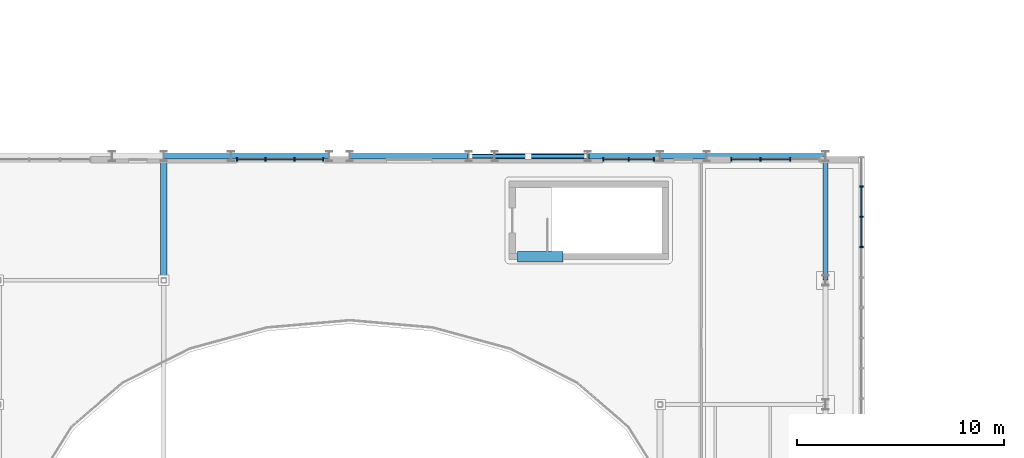
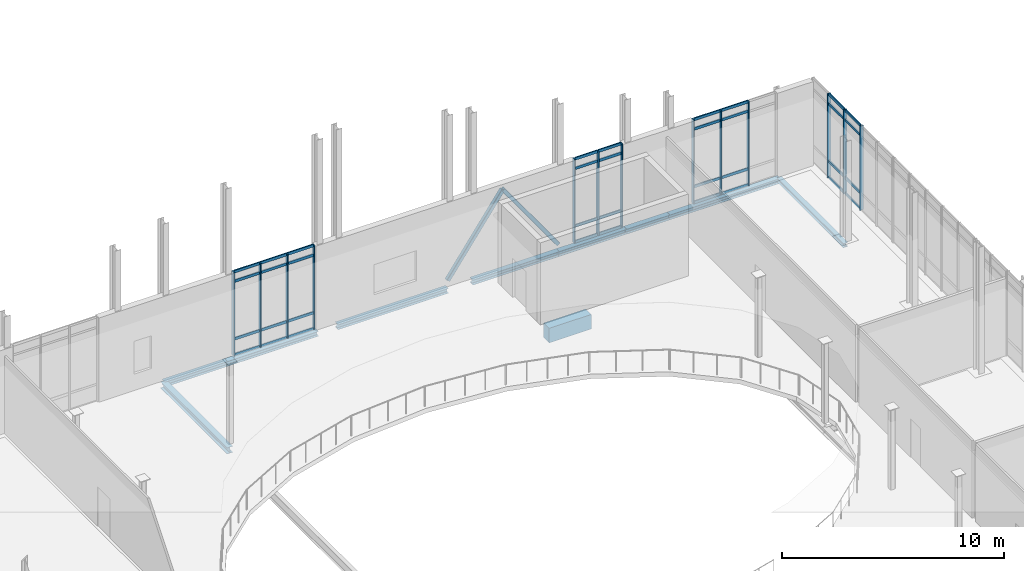
# One storey, part 29 of 86: 51 members, 10 beams, 4 elements without a shape of their own.
"""IFC4 building model written with IfcOpenShell, lengths in metres."""

import ifcopenshell
import ifcopenshell.guid

model = None  # the IFC model being written
_history = None  # IfcOwnerHistory: only IFC2X3 demands one
_inside = {}  # id of a spatial element -> (the spatial element, [elements in it])
_under = {}  # id of a project, library or spatial element -> (it, [spatial elements below it])
_declared = {}  # id of a project -> (the project, [libraries it declares])
_typed = {}  # id of a type object -> (the type object, [elements of that type])
_made_of = {}  # id of a material, layer set ... -> (it, [elements and type objects made of it])


def new_model(schema):
    """Start an empty IFC model of exactly this schema.

    Asked for "IFC4X3", IfcOpenShell would pick the latest addendum, in which some entities
    have other attributes; the version numbers below select the first issue.
    IFC2X3 requires an IfcOwnerHistory on every rooted entity: one is made here for all.
    """
    global model, _history
    if schema == "IFC4X3":
        model = ifcopenshell.file(schema_version=(4, 3, 0, 0))
    else:
        model = ifcopenshell.file(schema=schema)
    _inside.clear()
    _under.clear()
    _declared.clear()
    _typed.clear()
    _made_of.clear()
    _history = None
    if model.schema == "IFC2X3":
        org = make("IfcOrganization", Name="unknown")
        user = make(
            "IfcPersonAndOrganization",
            ThePerson=make("IfcPerson", FamilyName="unknown"),
            TheOrganization=org,
        )
        app = make(
            "IfcApplication",
            ApplicationDeveloper=org,
            Version="unknown",
            ApplicationFullName="unknown",
            ApplicationIdentifier="unknown",
        )
        _history = make(
            "IfcOwnerHistory",
            OwningUser=user,
            OwningApplication=app,
            ChangeAction="ADDED",
            CreationDate=0,
        )
    return model


def make(cls, **values):
    """One entity of the class cls with the attributes given. An attribute that is None is left unset."""
    return model.create_entity(
        cls, **{name: value for name, value in values.items() if value is not None}
    )


def rooted(cls, **values):
    """An entity with a GlobalId (a new one), such as an element, a storey or a relation."""
    return make(cls, GlobalId=ifcopenshell.guid.new(), OwnerHistory=_history, **values)


def si_unit(unit_type, name, prefix=None):
    """IfcSIUnit, for example si_unit("LENGTHUNIT", "METRE", prefix="MILLI")."""
    return make("IfcSIUnit", UnitType=unit_type, Prefix=prefix, Name=name)


def assignment(units):
    """IfcUnitAssignment: the units of a project."""
    return None if units is None else make("IfcUnitAssignment", Units=units)


def point(xyz):
    """IfcCartesianPoint."""
    return None if xyz is None else make("IfcCartesianPoint", Coordinates=xyz)


def direction(xyz):
    """IfcDirection."""
    return None if xyz is None else make("IfcDirection", DirectionRatios=xyz)


def frame(location, z_axis=None, x_axis=None):
    """IfcAxis2Placement3D, a coordinate frame: its origin and axes. An axis left out is left unset."""
    return make(
        "IfcAxis2Placement3D",
        Location=point(location),
        Axis=direction(z_axis),
        RefDirection=direction(x_axis),
    )


def frame_2d(location, x_axis=None):
    """IfcAxis2Placement2D, a coordinate frame in the plane: its origin and x axis."""
    return make(
        "IfcAxis2Placement2D", Location=point(location), RefDirection=direction(x_axis)
    )


def origin():
    """The frame at (0, 0, 0) with its axes left unset."""
    return frame((0.0, 0.0, 0.0))


def origin_2d():
    """The frame at (0, 0) in the plane with its x axis left unset."""
    return frame_2d((0.0, 0.0))


def place(relative_to, where):
    """IfcLocalPlacement: puts the frame where relative to a parent placement (None: the world)."""
    return make(
        "IfcLocalPlacement", PlacementRelTo=relative_to, RelativePlacement=where
    )


def context(
    kind, dimensions, precision=None, world=None, true_north=None, identifier=None
):
    """IfcGeometricRepresentationContext, for example the 3D "Model" context."""
    return make(
        "IfcGeometricRepresentationContext",
        ContextIdentifier=identifier,
        ContextType=kind,
        CoordinateSpaceDimension=dimensions,
        Precision=precision,
        WorldCoordinateSystem=world,
        TrueNorth=true_north,
    )


def subcontext(parent, identifier, kind, view, scale=None):
    """IfcGeometricRepresentationSubContext, for example "Body" below "Model"."""
    return make(
        "IfcGeometricRepresentationSubContext",
        ContextIdentifier=identifier,
        ContextType=kind,
        ParentContext=parent,
        TargetScale=scale,
        TargetView=view,
    )


def project(units=None, contexts=None):
    """IfcProject with its units and contexts."""
    return rooted(
        "IfcProject",
        Name="project",
        RepresentationContexts=contexts,
        UnitsInContext=assignment(units),
    )


def spatial(cls, under=None, at=None, **own):
    """A site, building, storey or space (cls), placed at a placement, below another one or the project."""
    s = rooted(cls, ObjectPlacement=at, **own)
    if under is not None:
        _under.setdefault(under.id(), (under, []))[1].append(s)
    return s


def profile(cls, at=None, kind="AREA", **sizes):
    """A parametric profile (cls). Its sizes go by their IFC names, for example OverallWidth=200.0."""
    return make(cls, ProfileType=kind, Position=at, **sizes)


def rectangle(**sizes):
    """IfcRectangleProfileDef."""
    return profile("IfcRectangleProfileDef", **sizes)


def hollow_rectangle(**sizes):
    """IfcRectangleHollowProfileDef."""
    return profile("IfcRectangleHollowProfileDef", **sizes)


def i_section(**sizes):
    """IfcIShapeProfileDef."""
    return profile("IfcIShapeProfileDef", **sizes)


def extrude(swept, where, along, depth):
    """IfcExtrudedAreaSolid: the profile swept, set in the frame where, extruded along a direction by depth."""
    return make(
        "IfcExtrudedAreaSolid",
        SweptArea=swept,
        Position=where,
        ExtrudedDirection=direction(along),
        Depth=depth,
    )


def shape(context_of_items, identifier, shape_type, items):
    """IfcShapeRepresentation: the items that make up one representation, for example the "Body"."""
    return make(
        "IfcShapeRepresentation",
        ContextOfItems=context_of_items,
        RepresentationIdentifier=identifier,
        RepresentationType=shape_type,
        Items=items,
    )


def material(Name=None, Category=None):
    """IfcMaterial."""
    return make("IfcMaterial", Name=Name, Category=Category)


def material_profile(
    of_material, cross_section, Name=None, Category=None, Priority=None
):
    """IfcMaterialProfile: a cross section and its material."""
    return make(
        "IfcMaterialProfile",
        Name=Name,
        Material=of_material,
        Profile=cross_section,
        Priority=Priority,
        Category=Category,
    )


def profile_set(profiles, Name=None, composite=None):
    """IfcMaterialProfileSet."""
    return make(
        "IfcMaterialProfileSet",
        Name=Name,
        MaterialProfiles=profiles,
        CompositeProfile=composite,
    )


def made_of(thing, what):
    """Note that an element or type object is made of a material, layer set ...; save() writes the relation."""
    if what is not None:
        _made_of.setdefault(what.id(), (what, []))[1].append(thing)
    return thing


def type_object(cls, material=None, **own):
    """A type object (cls), such as IfcWallType, which elements share."""
    return made_of(rooted(cls, **own), material)


def element(
    cls,
    number,
    at=None,
    inside=None,
    cuts=None,
    type_object=None,
    material=None,
    context=None,
    identifier="Body",
    shape_type=None,
    held_by="IfcProductDefinitionShape",
    body=None,
    shapes=None,
    **own,
):
    """One element of the class cls, such as IfcWall. Its Tag is "e" and its number.

    at: its placement. inside: the storey or other place that contains it. cuts: it is an
    opening in that element (IfcRelVoidsElement). A single representation is given by context,
    identifier, shape_type and body (its items); several are given by shapes. held_by: the class
    of the entity that holds the representations. save() writes the other relations.
    """
    e = rooted(cls, Tag="e%d" % number, ObjectPlacement=at, **own)
    if body is not None:
        shapes = [shape(context, identifier, shape_type, body)]
    if shapes is not None:
        e.Representation = make(held_by, Representations=shapes)
    if inside is not None:
        _inside.setdefault(inside.id(), (inside, []))[1].append(e)
    if cuts is not None:
        rooted(
            "IfcRelVoidsElement", RelatingBuildingElement=cuts, RelatedOpeningElement=e
        )
    if type_object is not None:
        _typed.setdefault(type_object.id(), (type_object, []))[1].append(e)
    return made_of(e, material)


def aggregate(whole, parts):
    """IfcRelAggregates: a whole, such as a stair, and the parts it consists of."""
    return rooted("IfcRelAggregates", RelatingObject=whole, RelatedObjects=parts)


def save(model, path):
    """Write the relations noted so far, then the file.

    IfcRelAggregates (storeys below a building ...), IfcRelContainedInSpatialStructure (elements
    in a storey), IfcRelDefinesByType, IfcRelAssociatesMaterial and IfcRelDeclares: one each for
    every whole, place, type object, material and project.
    """
    for whole, parts in _under.values():
        aggregate(whole, parts)
    for where, things in _inside.values():
        rooted(
            "IfcRelContainedInSpatialStructure",
            RelatedElements=things,
            RelatingStructure=where,
        )
    for kind, things in _typed.values():
        rooted("IfcRelDefinesByType", RelatedObjects=things, RelatingType=kind)
    for what, things in _made_of.values():
        rooted("IfcRelAssociatesMaterial", RelatedObjects=things, RelatingMaterial=what)
    for by, libraries in _declared.values():
        rooted("IfcRelDeclares", RelatingContext=by, RelatedDefinitions=libraries)
    model.write(path)


model = new_model("IFC4")

# Units and contexts
model_context = context("Model", 3, precision=1e-05, world=origin(), true_north=direction((0.0, 1.0)))
body_context = subcontext(model_context, "Body", "Model", "MODEL_VIEW")
ifc_project = project(units=[si_unit("LENGTHUNIT", "METRE"), si_unit("AREAUNIT", "SQUARE_METRE"), si_unit("VOLUMEUNIT", "CUBIC_METRE"), si_unit("PLANEANGLEUNIT", "RADIAN"), si_unit("MASSUNIT", "GRAM", prefix="KILO")], contexts=[model_context])

# Site, building, storey
site_placement = place(None, origin())
site = spatial("IfcSite", under=ifc_project, at=site_placement, CompositionType="ELEMENT")
building_placement = place(site_placement, origin())
building = spatial("IfcBuilding", under=site, at=building_placement, Name="Cymarion Research Institute", CompositionType="ELEMENT")
storey_placement = place(building_placement, frame((0.0, 0.0, 13.800048828125)))
storey = spatial("IfcBuildingStorey", under=building, at=storey_placement, Name="L03", CompositionType="ELEMENT", Elevation=13.800048828125)

# Beam
ifc_material_1 = material(Name="Concrete C40/50", Category="concrete")
ifc_material_profile_1 = material_profile(ifc_material_1, rectangle(XDim=0.5, YDim=0.800048828125, at=origin_2d()), Name="RC 500x800")
ifc_profile_set_1 = profile_set([ifc_material_profile_1], Name="Concrete C40/50")
beam_type_1 = type_object("IfcBeamType", Name="COUPLING LINTEL LN03 RC 500x800", PredefinedType="LINTEL", material=ifc_profile_set_1)
beam_1_placement = place(storey_placement, frame((87.699951171875, 36.64990234375, -0.670166015625), z_axis=(1.0, 0.0, 0.0), x_axis=(0.0, 1.0, 0.0)))
element("IfcBeam", 1, at=beam_1_placement, inside=storey, type_object=beam_type_1, Name="L03 C4 core coupling lintel LN03", PredefinedType="LINTEL", context=body_context, shape_type="SweptSolid", body=[
    extrude(rectangle(XDim=0.5, YDim=0.800048828125, at=origin_2d()), origin(), (0.0, 0.0, 1.0), 2.199951171875),
])

# Curtain wall, members
ifc_material_2 = material(Name="Anodised aluminium unitised curtain wall with Low-E glazing", Category="aluminium")
curtain_wall_type_1 = type_object("IfcCurtainWallType", Name="UNITISED CURTAIN WALL CW28 7320X4620", PredefinedType="NOTDEFINED", material=ifc_material_2)
curtain_wall_1_placement = place(storey_placement, origin())
curtain_wall_1 = element("IfcCurtainWall", 2, at=curtain_wall_1_placement, inside=storey, type_object=curtain_wall_type_1, Name="L03 V2 unitised curtain wall CW28 #141", PredefinedType="NOTDEFINED")
ifc_material_3 = material(Name="Anodised aluminium framing", Category="aluminium")
ifc_material_profile_2 = material_profile(ifc_material_3, rectangle(XDim=0.06005859375, YDim=0.179931640625, at=origin_2d()), Name="ALU MULLION 60x180")
ifc_profile_set_2 = profile_set([ifc_material_profile_2], Name="Anodised aluminium framing")
member_type_1 = type_object("IfcMemberType", Name="CURTAIN WALL MULLION ML01 60X180", PredefinedType="MULLION", material=ifc_profile_set_2)
member_1_placement = place(storey_placement, frame((104.340087890625, 37.10791015625, 0.0), z_axis=(0.0, 0.0, 1.0), x_axis=(0.0, 1.0, 0.0)))
member_1 = element("IfcMember", 3, at=member_1_placement, type_object=member_type_1, Name="CW28 mullion 3", PredefinedType="MULLION", context=body_context, shape_type="SweptSolid", body=[
    extrude(rectangle(XDim=0.06005859375, YDim=0.179931640625, at=origin_2d()), origin(), (0.0, 0.0, 1.0), 4.619873046875),
])
member_2_placement = place(storey_placement, frame((104.340087890625, 38.572021484375, 0.0), z_axis=(0.0, 0.0, 1.0), x_axis=(0.0, 1.0, 0.0)))
member_2 = element("IfcMember", 4, at=member_2_placement, type_object=member_type_1, Name="CW28 mullion 4", PredefinedType="MULLION", context=body_context, shape_type="SweptSolid", body=[
    extrude(rectangle(XDim=0.06005859375, YDim=0.179931640625, at=origin_2d()), origin(), (0.0, 0.0, 1.0), 4.619873046875),
])
member_3_placement = place(storey_placement, frame((104.340087890625, 40.035888671875, 0.0), z_axis=(0.0, 0.0, 1.0), x_axis=(0.0, 1.0, 0.0)))
member_3 = element("IfcMember", 5, at=member_3_placement, type_object=member_type_1, Name="CW28 mullion 5", PredefinedType="MULLION", context=body_context, shape_type="SweptSolid", body=[
    extrude(rectangle(XDim=0.06005859375, YDim=0.179931640625, at=origin_2d()), origin(), (0.0, 0.0, 1.0), 4.619873046875),
])

curtain_wall_type_2 = type_object("IfcCurtainWallType", Name="UNITISED CURTAIN WALL CW29 4330X4620", PredefinedType="NOTDEFINED", material=ifc_material_2)
curtain_wall_2_placement = place(storey_placement, origin())
curtain_wall_2 = element("IfcCurtainWall", 6, at=curtain_wall_2_placement, inside=storey, type_object=curtain_wall_type_2, Name="L03 V2 unitised curtain wall CW29 #142", PredefinedType="NOTDEFINED")
member_4_placement = place(storey_placement, frame((100.89697265625, 41.340087890625, 0.0), z_axis=(0.0, 0.0, 1.0), x_axis=(-1.0, 0.0, 0.0)))
member_4 = element("IfcMember", 7, at=member_4_placement, type_object=member_type_1, Name="CW29 mullion 2", PredefinedType="MULLION", context=body_context, shape_type="SweptSolid", body=[
    extrude(rectangle(XDim=0.06005859375, YDim=0.179931640625, at=origin_2d()), origin(), (0.0, 0.0, 1.0), 4.619873046875),
])
member_5_placement = place(storey_placement, frame((99.453857421875, 41.340087890625, 0.0), z_axis=(0.0, 0.0, 1.0), x_axis=(-1.0, 0.0, 0.0)))
member_5 = element("IfcMember", 8, at=member_5_placement, type_object=member_type_1, Name="CW29 mullion 3", PredefinedType="MULLION", context=body_context, shape_type="SweptSolid", body=[
    extrude(rectangle(XDim=0.06005859375, YDim=0.179931640625, at=origin_2d()), origin(), (0.0, 0.0, 1.0), 4.619873046875),
])
member_6_placement = place(storey_placement, frame((98.040771484375, 41.340087890625, 0.0), z_axis=(0.0, 0.0, 1.0), x_axis=(-1.0, 0.0, 0.0)))
member_6 = element("IfcMember", 9, at=member_6_placement, type_object=member_type_1, Name="CW29 mullion 4", PredefinedType="MULLION", context=body_context, shape_type="SweptSolid", body=[
    extrude(rectangle(XDim=0.06005859375, YDim=0.179931640625, at=origin_2d()), origin(), (0.0, 0.0, 1.0), 4.619873046875),
])

curtain_wall_type_3 = type_object("IfcCurtainWallType", Name="UNITISED CURTAIN WALL CW30 2520X4620", PredefinedType="NOTDEFINED", material=ifc_material_2)
curtain_wall_3_placement = place(storey_placement, origin())
curtain_wall_3 = element("IfcCurtainWall", 10, at=curtain_wall_3_placement, inside=storey, type_object=curtain_wall_type_3, Name="L03 V2 unitised curtain wall CW30 #143", PredefinedType="NOTDEFINED")
member_7_placement = place(storey_placement, frame((94.31005859375, 41.340087890625, 0.0), z_axis=(0.0, 0.0, 1.0), x_axis=(-1.0, 0.0, 0.0)))
member_7 = element("IfcMember", 11, at=member_7_placement, type_object=member_type_1, Name="CW30 mullion 1", PredefinedType="MULLION", context=body_context, shape_type="SweptSolid", body=[
    extrude(rectangle(XDim=0.06005859375, YDim=0.179931640625, at=origin_2d()), origin(), (0.0, 0.0, 1.0), 4.619873046875),
])
member_8_placement = place(storey_placement, frame((93.081787109375, 41.340087890625, 0.0), z_axis=(0.0, 0.0, 1.0), x_axis=(-1.0, 0.0, 0.0)))
member_8 = element("IfcMember", 12, at=member_8_placement, type_object=member_type_1, Name="CW30 mullion 2", PredefinedType="MULLION", context=body_context, shape_type="SweptSolid", body=[
    extrude(rectangle(XDim=0.06005859375, YDim=0.179931640625, at=origin_2d()), origin(), (0.0, 0.0, 1.0), 4.619873046875),
])
member_9_placement = place(storey_placement, frame((91.853515625, 41.340087890625, 0.0), z_axis=(0.0, 0.0, 1.0), x_axis=(-1.0, 0.0, 0.0)))
member_9 = element("IfcMember", 13, at=member_9_placement, type_object=member_type_1, Name="CW30 mullion 3", PredefinedType="MULLION", context=body_context, shape_type="SweptSolid", body=[
    extrude(rectangle(XDim=0.06005859375, YDim=0.179931640625, at=origin_2d()), origin(), (0.0, 0.0, 1.0), 4.619873046875),
])

curtain_wall_type_4 = type_object("IfcCurtainWallType", Name="UNITISED CURTAIN WALL CW31 4230X4620", PredefinedType="NOTDEFINED", material=ifc_material_2)
curtain_wall_4_placement = place(storey_placement, origin())
curtain_wall_4 = element("IfcCurtainWall", 14, at=curtain_wall_4_placement, inside=storey, type_object=curtain_wall_type_4, Name="L03 V2 unitised curtain wall CW31 #144", PredefinedType="NOTDEFINED")
member_10_placement = place(storey_placement, frame((78.31005859375, 41.340087890625, 0.0), z_axis=(0.0, 0.0, 1.0), x_axis=(-1.0, 0.0, 0.0)))
member_10 = element("IfcMember", 15, at=member_10_placement, type_object=member_type_1, Name="CW31 mullion 1", PredefinedType="MULLION", context=body_context, shape_type="SweptSolid", body=[
    extrude(rectangle(XDim=0.06005859375, YDim=0.179931640625, at=origin_2d()), origin(), (0.0, 0.0, 1.0), 4.619873046875),
])
member_11_placement = place(storey_placement, frame((76.929931640625, 41.340087890625, 0.0), z_axis=(0.0, 0.0, 1.0), x_axis=(-1.0, 0.0, 0.0)))
member_11 = element("IfcMember", 16, at=member_11_placement, type_object=member_type_1, Name="CW31 mullion 2", PredefinedType="MULLION", context=body_context, shape_type="SweptSolid", body=[
    extrude(rectangle(XDim=0.06005859375, YDim=0.179931640625, at=origin_2d()), origin(), (0.0, 0.0, 1.0), 4.619873046875),
])
member_12_placement = place(storey_placement, frame((75.52001953125, 41.340087890625, 0.0), z_axis=(0.0, 0.0, 1.0), x_axis=(-1.0, 0.0, 0.0)))
member_12 = element("IfcMember", 17, at=member_12_placement, type_object=member_type_1, Name="CW31 mullion 3", PredefinedType="MULLION", context=body_context, shape_type="SweptSolid", body=[
    extrude(rectangle(XDim=0.06005859375, YDim=0.179931640625, at=origin_2d()), origin(), (0.0, 0.0, 1.0), 4.619873046875),
])
member_13_placement = place(storey_placement, frame((74.139892578125, 41.340087890625, 0.0), z_axis=(0.0, 0.0, 1.0), x_axis=(-1.0, 0.0, 0.0)))
member_13 = element("IfcMember", 18, at=member_13_placement, type_object=member_type_1, Name="CW31 mullion 4", PredefinedType="MULLION", context=body_context, shape_type="SweptSolid", body=[
    extrude(rectangle(XDim=0.06005859375, YDim=0.179931640625, at=origin_2d()), origin(), (0.0, 0.0, 1.0), 4.619873046875),
])

# Member
ifc_material_profile_3 = material_profile(ifc_material_3, rectangle(XDim=0.06005859375, YDim=0.14990234375, at=origin_2d()), Name="ALU TRANSOM 60x150")
ifc_profile_set_3 = profile_set([ifc_material_profile_3], Name="Anodised aluminium framing")
member_type_2 = type_object("IfcMemberType", Name="CURTAIN WALL TRANSOM TR01 60X150", PredefinedType="USERDEFINED", material=ifc_profile_set_3)
member_14_placement = place(storey_placement, frame((104.340087890625, 37.137939453125, 0.030029296875), z_axis=(0.0, 1.0, 0.0), x_axis=(-1.0, 0.0, 0.0)))
member_14 = element("IfcMember", 19, at=member_14_placement, type_object=member_type_2, Name="CW28 transom 3.1", ObjectType="TRANSOM", PredefinedType="USERDEFINED", context=body_context, shape_type="SweptSolid", body=[
    extrude(rectangle(XDim=0.06005859375, YDim=0.14990234375, at=origin_2d()), origin(), (0.0, 0.0, 1.0), 1.404052734375),
])

member_15_placement = place(storey_placement, frame((104.340087890625, 37.137939453125, 0.89990234375), z_axis=(0.0, 1.0, 0.0), x_axis=(-1.0, 0.0, 0.0)))
member_15 = element("IfcMember", 20, at=member_15_placement, type_object=member_type_2, Name="CW28 transom 3.2", ObjectType="TRANSOM", PredefinedType="USERDEFINED", context=body_context, shape_type="SweptSolid", body=[
    extrude(rectangle(XDim=0.06005859375, YDim=0.14990234375, at=origin_2d()), origin(), (0.0, 0.0, 1.0), 1.404052734375),
])

member_16_placement = place(storey_placement, frame((104.340087890625, 37.137939453125, 4.070068359375), z_axis=(0.0, 1.0, 0.0), x_axis=(-1.0, 0.0, 0.0)))
member_16 = element("IfcMember", 21, at=member_16_placement, type_object=member_type_2, Name="CW28 transom 3.3", ObjectType="TRANSOM", PredefinedType="USERDEFINED", context=body_context, shape_type="SweptSolid", body=[
    extrude(rectangle(XDim=0.06005859375, YDim=0.14990234375, at=origin_2d()), origin(), (0.0, 0.0, 1.0), 1.404052734375),
])

member_17_placement = place(storey_placement, frame((104.340087890625, 37.137939453125, 4.58984375), z_axis=(0.0, 1.0, 0.0), x_axis=(-1.0, 0.0, 0.0)))
member_17 = element("IfcMember", 22, at=member_17_placement, type_object=member_type_2, Name="CW28 transom 3.4", ObjectType="TRANSOM", PredefinedType="USERDEFINED", context=body_context, shape_type="SweptSolid", body=[
    extrude(rectangle(XDim=0.06005859375, YDim=0.14990234375, at=origin_2d()), origin(), (0.0, 0.0, 1.0), 1.404052734375),
])

member_18_placement = place(storey_placement, frame((104.340087890625, 38.60205078125, 0.030029296875), z_axis=(0.0, 1.0, 0.0), x_axis=(-1.0, 0.0, 0.0)))
member_18 = element("IfcMember", 23, at=member_18_placement, type_object=member_type_2, Name="CW28 transom 4.1", ObjectType="TRANSOM", PredefinedType="USERDEFINED", context=body_context, shape_type="SweptSolid", body=[
    extrude(rectangle(XDim=0.06005859375, YDim=0.14990234375, at=origin_2d()), origin(), (0.0, 0.0, 1.0), 1.404052734375),
])

member_19_placement = place(storey_placement, frame((104.340087890625, 38.60205078125, 0.89990234375), z_axis=(0.0, 1.0, 0.0), x_axis=(-1.0, 0.0, 0.0)))
member_19 = element("IfcMember", 24, at=member_19_placement, type_object=member_type_2, Name="CW28 transom 4.2", ObjectType="TRANSOM", PredefinedType="USERDEFINED", context=body_context, shape_type="SweptSolid", body=[
    extrude(rectangle(XDim=0.06005859375, YDim=0.14990234375, at=origin_2d()), origin(), (0.0, 0.0, 1.0), 1.404052734375),
])

member_20_placement = place(storey_placement, frame((104.340087890625, 38.60205078125, 4.070068359375), z_axis=(0.0, 1.0, 0.0), x_axis=(-1.0, 0.0, 0.0)))
member_20 = element("IfcMember", 25, at=member_20_placement, type_object=member_type_2, Name="CW28 transom 4.3", ObjectType="TRANSOM", PredefinedType="USERDEFINED", context=body_context, shape_type="SweptSolid", body=[
    extrude(rectangle(XDim=0.06005859375, YDim=0.14990234375, at=origin_2d()), origin(), (0.0, 0.0, 1.0), 1.404052734375),
])

member_21_placement = place(storey_placement, frame((104.340087890625, 38.60205078125, 4.58984375), z_axis=(0.0, 1.0, 0.0), x_axis=(-1.0, 0.0, 0.0)))
member_21 = element("IfcMember", 26, at=member_21_placement, type_object=member_type_2, Name="CW28 transom 4.4", ObjectType="TRANSOM", PredefinedType="USERDEFINED", context=body_context, shape_type="SweptSolid", body=[
    extrude(rectangle(XDim=0.06005859375, YDim=0.14990234375, at=origin_2d()), origin(), (0.0, 0.0, 1.0), 1.404052734375),
])

aggregate(curtain_wall_1, [member_1, member_2, member_3, member_14, member_15, member_16, member_17, member_18, member_19, member_20, member_21])

member_22_placement = place(storey_placement, frame((100.866943359375, 41.340087890625, 0.030029296875), z_axis=(-1.0, 0.0, 0.0), x_axis=(0.0, -1.0, 0.0)))
member_22 = element("IfcMember", 27, at=member_22_placement, type_object=member_type_2, Name="CW29 transom 2.1", ObjectType="TRANSOM", PredefinedType="USERDEFINED", context=body_context, shape_type="SweptSolid", body=[
    extrude(rectangle(XDim=0.06005859375, YDim=0.14990234375, at=origin_2d()), origin(), (0.0, 0.0, 1.0), 1.383056640625),
])

member_23_placement = place(storey_placement, frame((100.866943359375, 41.340087890625, 0.89990234375), z_axis=(-1.0, 0.0, 0.0), x_axis=(0.0, -1.0, 0.0)))
member_23 = element("IfcMember", 28, at=member_23_placement, type_object=member_type_2, Name="CW29 transom 2.2", ObjectType="TRANSOM", PredefinedType="USERDEFINED", context=body_context, shape_type="SweptSolid", body=[
    extrude(rectangle(XDim=0.06005859375, YDim=0.14990234375, at=origin_2d()), origin(), (0.0, 0.0, 1.0), 1.383056640625),
])

member_24_placement = place(storey_placement, frame((100.866943359375, 41.340087890625, 4.070068359375), z_axis=(-1.0, 0.0, 0.0), x_axis=(0.0, -1.0, 0.0)))
member_24 = element("IfcMember", 29, at=member_24_placement, type_object=member_type_2, Name="CW29 transom 2.3", ObjectType="TRANSOM", PredefinedType="USERDEFINED", context=body_context, shape_type="SweptSolid", body=[
    extrude(rectangle(XDim=0.06005859375, YDim=0.14990234375, at=origin_2d()), origin(), (0.0, 0.0, 1.0), 1.383056640625),
])

member_25_placement = place(storey_placement, frame((100.866943359375, 41.340087890625, 4.58984375), z_axis=(-1.0, 0.0, 0.0), x_axis=(0.0, -1.0, 0.0)))
member_25 = element("IfcMember", 30, at=member_25_placement, type_object=member_type_2, Name="CW29 transom 2.4", ObjectType="TRANSOM", PredefinedType="USERDEFINED", context=body_context, shape_type="SweptSolid", body=[
    extrude(rectangle(XDim=0.06005859375, YDim=0.14990234375, at=origin_2d()), origin(), (0.0, 0.0, 1.0), 1.383056640625),
])

member_26_placement = place(storey_placement, frame((99.423828125, 41.340087890625, 0.030029296875), z_axis=(-1.0, 0.0, 0.0), x_axis=(0.0, -1.0, 0.0)))
member_26 = element("IfcMember", 31, at=member_26_placement, type_object=member_type_2, Name="CW29 transom 3.1", ObjectType="TRANSOM", PredefinedType="USERDEFINED", context=body_context, shape_type="SweptSolid", body=[
    extrude(rectangle(XDim=0.06005859375, YDim=0.14990234375, at=origin_2d()), origin(), (0.0, 0.0, 1.0), 1.35302734375),
])

member_27_placement = place(storey_placement, frame((99.423828125, 41.340087890625, 0.89990234375), z_axis=(-1.0, 0.0, 0.0), x_axis=(0.0, -1.0, 0.0)))
member_27 = element("IfcMember", 32, at=member_27_placement, type_object=member_type_2, Name="CW29 transom 3.2", ObjectType="TRANSOM", PredefinedType="USERDEFINED", context=body_context, shape_type="SweptSolid", body=[
    extrude(rectangle(XDim=0.06005859375, YDim=0.14990234375, at=origin_2d()), origin(), (0.0, 0.0, 1.0), 1.35302734375),
])

member_28_placement = place(storey_placement, frame((99.423828125, 41.340087890625, 4.070068359375), z_axis=(-1.0, 0.0, 0.0), x_axis=(0.0, -1.0, 0.0)))
member_28 = element("IfcMember", 33, at=member_28_placement, type_object=member_type_2, Name="CW29 transom 3.3", ObjectType="TRANSOM", PredefinedType="USERDEFINED", context=body_context, shape_type="SweptSolid", body=[
    extrude(rectangle(XDim=0.06005859375, YDim=0.14990234375, at=origin_2d()), origin(), (0.0, 0.0, 1.0), 1.35302734375),
])

member_29_placement = place(storey_placement, frame((99.423828125, 41.340087890625, 4.58984375), z_axis=(-1.0, 0.0, 0.0), x_axis=(0.0, -1.0, 0.0)))
member_29 = element("IfcMember", 34, at=member_29_placement, type_object=member_type_2, Name="CW29 transom 3.4", ObjectType="TRANSOM", PredefinedType="USERDEFINED", context=body_context, shape_type="SweptSolid", body=[
    extrude(rectangle(XDim=0.06005859375, YDim=0.14990234375, at=origin_2d()), origin(), (0.0, 0.0, 1.0), 1.35302734375),
])

aggregate(curtain_wall_2, [member_4, member_5, member_6, member_22, member_23, member_24, member_25, member_26, member_27, member_28, member_29])

member_30_placement = place(storey_placement, frame((94.280029296875, 41.340087890625, 0.030029296875), z_axis=(-1.0, 0.0, 0.0), x_axis=(0.0, -1.0, 0.0)))
member_30 = element("IfcMember", 35, at=member_30_placement, type_object=member_type_2, Name="CW30 transom 1.1", ObjectType="TRANSOM", PredefinedType="USERDEFINED", context=body_context, shape_type="SweptSolid", body=[
    extrude(rectangle(XDim=0.06005859375, YDim=0.14990234375, at=origin_2d()), origin(), (0.0, 0.0, 1.0), 1.168212890625),
])

member_31_placement = place(storey_placement, frame((94.280029296875, 41.340087890625, 0.89990234375), z_axis=(-1.0, 0.0, 0.0), x_axis=(0.0, -1.0, 0.0)))
member_31 = element("IfcMember", 36, at=member_31_placement, type_object=member_type_2, Name="CW30 transom 1.2", ObjectType="TRANSOM", PredefinedType="USERDEFINED", context=body_context, shape_type="SweptSolid", body=[
    extrude(rectangle(XDim=0.06005859375, YDim=0.14990234375, at=origin_2d()), origin(), (0.0, 0.0, 1.0), 1.168212890625),
])

member_32_placement = place(storey_placement, frame((94.280029296875, 41.340087890625, 4.070068359375), z_axis=(-1.0, 0.0, 0.0), x_axis=(0.0, -1.0, 0.0)))
member_32 = element("IfcMember", 37, at=member_32_placement, type_object=member_type_2, Name="CW30 transom 1.3", ObjectType="TRANSOM", PredefinedType="USERDEFINED", context=body_context, shape_type="SweptSolid", body=[
    extrude(rectangle(XDim=0.06005859375, YDim=0.14990234375, at=origin_2d()), origin(), (0.0, 0.0, 1.0), 1.168212890625),
])

member_33_placement = place(storey_placement, frame((94.280029296875, 41.340087890625, 4.58984375), z_axis=(-1.0, 0.0, 0.0), x_axis=(0.0, -1.0, 0.0)))
member_33 = element("IfcMember", 38, at=member_33_placement, type_object=member_type_2, Name="CW30 transom 1.4", ObjectType="TRANSOM", PredefinedType="USERDEFINED", context=body_context, shape_type="SweptSolid", body=[
    extrude(rectangle(XDim=0.06005859375, YDim=0.14990234375, at=origin_2d()), origin(), (0.0, 0.0, 1.0), 1.168212890625),
])

member_34_placement = place(storey_placement, frame((93.0517578125, 41.340087890625, 0.030029296875), z_axis=(-1.0, 0.0, 0.0), x_axis=(0.0, -1.0, 0.0)))
member_34 = element("IfcMember", 39, at=member_34_placement, type_object=member_type_2, Name="CW30 transom 2.1", ObjectType="TRANSOM", PredefinedType="USERDEFINED", context=body_context, shape_type="SweptSolid", body=[
    extrude(rectangle(XDim=0.06005859375, YDim=0.14990234375, at=origin_2d()), origin(), (0.0, 0.0, 1.0), 1.168212890625),
])

member_35_placement = place(storey_placement, frame((93.0517578125, 41.340087890625, 0.89990234375), z_axis=(-1.0, 0.0, 0.0), x_axis=(0.0, -1.0, 0.0)))
member_35 = element("IfcMember", 40, at=member_35_placement, type_object=member_type_2, Name="CW30 transom 2.2", ObjectType="TRANSOM", PredefinedType="USERDEFINED", context=body_context, shape_type="SweptSolid", body=[
    extrude(rectangle(XDim=0.06005859375, YDim=0.14990234375, at=origin_2d()), origin(), (0.0, 0.0, 1.0), 1.168212890625),
])

member_36_placement = place(storey_placement, frame((93.0517578125, 41.340087890625, 4.070068359375), z_axis=(-1.0, 0.0, 0.0), x_axis=(0.0, -1.0, 0.0)))
member_36 = element("IfcMember", 41, at=member_36_placement, type_object=member_type_2, Name="CW30 transom 2.3", ObjectType="TRANSOM", PredefinedType="USERDEFINED", context=body_context, shape_type="SweptSolid", body=[
    extrude(rectangle(XDim=0.06005859375, YDim=0.14990234375, at=origin_2d()), origin(), (0.0, 0.0, 1.0), 1.168212890625),
])

member_37_placement = place(storey_placement, frame((93.0517578125, 41.340087890625, 4.58984375), z_axis=(-1.0, 0.0, 0.0), x_axis=(0.0, -1.0, 0.0)))
member_37 = element("IfcMember", 42, at=member_37_placement, type_object=member_type_2, Name="CW30 transom 2.4", ObjectType="TRANSOM", PredefinedType="USERDEFINED", context=body_context, shape_type="SweptSolid", body=[
    extrude(rectangle(XDim=0.06005859375, YDim=0.14990234375, at=origin_2d()), origin(), (0.0, 0.0, 1.0), 1.168212890625),
])

aggregate(curtain_wall_3, [member_7, member_8, member_9, member_30, member_31, member_32, member_33, member_34, member_35, member_36, member_37])

member_38_placement = place(storey_placement, frame((78.280029296875, 41.340087890625, 0.030029296875), z_axis=(-1.0, 0.0, 0.0), x_axis=(0.0, -1.0, 0.0)))
member_38 = element("IfcMember", 43, at=member_38_placement, type_object=member_type_2, Name="CW31 transom 1.1", ObjectType="TRANSOM", PredefinedType="USERDEFINED", context=body_context, shape_type="SweptSolid", body=[
    extrude(rectangle(XDim=0.06005859375, YDim=0.14990234375, at=origin_2d()), origin(), (0.0, 0.0, 1.0), 1.320068359375),
])

member_39_placement = place(storey_placement, frame((78.280029296875, 41.340087890625, 0.89990234375), z_axis=(-1.0, 0.0, 0.0), x_axis=(0.0, -1.0, 0.0)))
member_39 = element("IfcMember", 44, at=member_39_placement, type_object=member_type_2, Name="CW31 transom 1.2", ObjectType="TRANSOM", PredefinedType="USERDEFINED", context=body_context, shape_type="SweptSolid", body=[
    extrude(rectangle(XDim=0.06005859375, YDim=0.14990234375, at=origin_2d()), origin(), (0.0, 0.0, 1.0), 1.320068359375),
])

member_40_placement = place(storey_placement, frame((78.280029296875, 41.340087890625, 4.070068359375), z_axis=(-1.0, 0.0, 0.0), x_axis=(0.0, -1.0, 0.0)))
member_40 = element("IfcMember", 45, at=member_40_placement, type_object=member_type_2, Name="CW31 transom 1.3", ObjectType="TRANSOM", PredefinedType="USERDEFINED", context=body_context, shape_type="SweptSolid", body=[
    extrude(rectangle(XDim=0.06005859375, YDim=0.14990234375, at=origin_2d()), origin(), (0.0, 0.0, 1.0), 1.320068359375),
])

member_41_placement = place(storey_placement, frame((78.280029296875, 41.340087890625, 4.58984375), z_axis=(-1.0, 0.0, 0.0), x_axis=(0.0, -1.0, 0.0)))
member_41 = element("IfcMember", 46, at=member_41_placement, type_object=member_type_2, Name="CW31 transom 1.4", ObjectType="TRANSOM", PredefinedType="USERDEFINED", context=body_context, shape_type="SweptSolid", body=[
    extrude(rectangle(XDim=0.06005859375, YDim=0.14990234375, at=origin_2d()), origin(), (0.0, 0.0, 1.0), 1.320068359375),
])

member_42_placement = place(storey_placement, frame((76.89990234375, 41.340087890625, 0.030029296875), z_axis=(-1.0, 0.0, 0.0), x_axis=(0.0, -1.0, 0.0)))
member_42 = element("IfcMember", 47, at=member_42_placement, type_object=member_type_2, Name="CW31 transom 2.1", ObjectType="TRANSOM", PredefinedType="USERDEFINED", context=body_context, shape_type="SweptSolid", body=[
    extrude(rectangle(XDim=0.06005859375, YDim=0.14990234375, at=origin_2d()), origin(), (0.0, 0.0, 1.0), 1.349853515625),
])

member_43_placement = place(storey_placement, frame((76.89990234375, 41.340087890625, 0.89990234375), z_axis=(-1.0, 0.0, 0.0), x_axis=(0.0, -1.0, 0.0)))
member_43 = element("IfcMember", 48, at=member_43_placement, type_object=member_type_2, Name="CW31 transom 2.2", ObjectType="TRANSOM", PredefinedType="USERDEFINED", context=body_context, shape_type="SweptSolid", body=[
    extrude(rectangle(XDim=0.06005859375, YDim=0.14990234375, at=origin_2d()), origin(), (0.0, 0.0, 1.0), 1.349853515625),
])

member_44_placement = place(storey_placement, frame((76.89990234375, 41.340087890625, 4.070068359375), z_axis=(-1.0, 0.0, 0.0), x_axis=(0.0, -1.0, 0.0)))
member_44 = element("IfcMember", 49, at=member_44_placement, type_object=member_type_2, Name="CW31 transom 2.3", ObjectType="TRANSOM", PredefinedType="USERDEFINED", context=body_context, shape_type="SweptSolid", body=[
    extrude(rectangle(XDim=0.06005859375, YDim=0.14990234375, at=origin_2d()), origin(), (0.0, 0.0, 1.0), 1.349853515625),
])

member_45_placement = place(storey_placement, frame((76.89990234375, 41.340087890625, 4.58984375), z_axis=(-1.0, 0.0, 0.0), x_axis=(0.0, -1.0, 0.0)))
member_45 = element("IfcMember", 50, at=member_45_placement, type_object=member_type_2, Name="CW31 transom 2.4", ObjectType="TRANSOM", PredefinedType="USERDEFINED", context=body_context, shape_type="SweptSolid", body=[
    extrude(rectangle(XDim=0.06005859375, YDim=0.14990234375, at=origin_2d()), origin(), (0.0, 0.0, 1.0), 1.349853515625),
])

member_46_placement = place(storey_placement, frame((75.489990234375, 41.340087890625, 0.030029296875), z_axis=(-1.0, 0.0, 0.0), x_axis=(0.0, -1.0, 0.0)))
member_46 = element("IfcMember", 51, at=member_46_placement, type_object=member_type_2, Name="CW31 transom 3.1", ObjectType="TRANSOM", PredefinedType="USERDEFINED", context=body_context, shape_type="SweptSolid", body=[
    extrude(rectangle(XDim=0.06005859375, YDim=0.14990234375, at=origin_2d()), origin(), (0.0, 0.0, 1.0), 1.320068359375),
])

member_47_placement = place(storey_placement, frame((75.489990234375, 41.340087890625, 0.89990234375), z_axis=(-1.0, 0.0, 0.0), x_axis=(0.0, -1.0, 0.0)))
member_47 = element("IfcMember", 52, at=member_47_placement, type_object=member_type_2, Name="CW31 transom 3.2", ObjectType="TRANSOM", PredefinedType="USERDEFINED", context=body_context, shape_type="SweptSolid", body=[
    extrude(rectangle(XDim=0.06005859375, YDim=0.14990234375, at=origin_2d()), origin(), (0.0, 0.0, 1.0), 1.320068359375),
])

member_48_placement = place(storey_placement, frame((75.489990234375, 41.340087890625, 4.070068359375), z_axis=(-1.0, 0.0, 0.0), x_axis=(0.0, -1.0, 0.0)))
member_48 = element("IfcMember", 53, at=member_48_placement, type_object=member_type_2, Name="CW31 transom 3.3", ObjectType="TRANSOM", PredefinedType="USERDEFINED", context=body_context, shape_type="SweptSolid", body=[
    extrude(rectangle(XDim=0.06005859375, YDim=0.14990234375, at=origin_2d()), origin(), (0.0, 0.0, 1.0), 1.320068359375),
])

member_49_placement = place(storey_placement, frame((75.489990234375, 41.340087890625, 4.58984375), z_axis=(-1.0, 0.0, 0.0), x_axis=(0.0, -1.0, 0.0)))
member_49 = element("IfcMember", 54, at=member_49_placement, type_object=member_type_2, Name="CW31 transom 3.4", ObjectType="TRANSOM", PredefinedType="USERDEFINED", context=body_context, shape_type="SweptSolid", body=[
    extrude(rectangle(XDim=0.06005859375, YDim=0.14990234375, at=origin_2d()), origin(), (0.0, 0.0, 1.0), 1.320068359375),
])

aggregate(curtain_wall_4, [member_10, member_11, member_12, member_13, member_38, member_39, member_40, member_41, member_42, member_43, member_44, member_45, member_46, member_47, member_48, member_49])

# Beams
ifc_material_4 = material(Name="Steel S355", Category="steel")
ifc_material_profile_4 = material_profile(ifc_material_4, i_section(OverallWidth=0.300048828125, OverallDepth=0.35009765625, WebThickness=0.010009765625, FlangeThickness=0.017578125, FilletRadius=0.027099609375, at=origin_2d()), Name="HEA 360")
ifc_profile_set_4 = profile_set([ifc_material_profile_4], Name="Steel S355")
beam_type_2 = type_object("IfcBeamType", Name="PRIMARY GIRDER BM12 HEA 360", PredefinedType="BEAM", material=ifc_profile_set_4)
beam_2_placement = place(storey_placement, frame((70.60009765625, 35.506103515625, -0.425048828125), z_axis=(0.0, 1.0, 0.0), x_axis=(-1.0, 0.0, 0.0)))
element("IfcBeam", 55, at=beam_2_placement, inside=storey, type_object=beam_type_2, Name="L03 V2 girder BM12 #1324", PredefinedType="BEAM", context=body_context, shape_type="SweptSolid", body=[
    extrude(i_section(OverallWidth=0.300048828125, OverallDepth=0.35009765625, WebThickness=0.010009765625, FlangeThickness=0.017578125, FilletRadius=0.027099609375, at=origin_2d()), origin(), (0.0, 0.0, 1.0), 5.98779296875),
])
ifc_material_profile_5 = material_profile(ifc_material_4, i_section(OverallWidth=0.280029296875, OverallDepth=0.27001953125, WebThickness=0.008056640625, FlangeThickness=0.012939453125, FilletRadius=0.02392578125, at=origin_2d()), Name="HEA 280")
ifc_profile_set_5 = profile_set([ifc_material_profile_5], Name="Steel S355")
beam_type_3 = type_object("IfcBeamType", Name="SPANDREL BEAM SPB02 HEA 280", PredefinedType="SPANDREL", material=ifc_profile_set_5)
beam_3_placement = place(storey_placement, frame((70.60595703125, 41.5, -0.385009765625), z_axis=(1.0, 0.0, 0.0), x_axis=(0.0, 1.0, 0.0)))
element("IfcBeam", 56, at=beam_3_placement, inside=storey, type_object=beam_type_3, Name="L03 V2 girder SPB02 #1305", PredefinedType="SPANDREL", context=body_context, shape_type="SweptSolid", body=[
    extrude(i_section(OverallWidth=0.280029296875, OverallDepth=0.27001953125, WebThickness=0.008056640625, FlangeThickness=0.012939453125, FilletRadius=0.02392578125, at=origin_2d()), origin(), (0.0, 0.0, 1.0), 3.238037109375),
])
beam_4_placement = place(storey_placement, frame((73.85595703125, 41.5, -0.385009765625), z_axis=(1.0, 0.0, 0.0), x_axis=(0.0, 1.0, 0.0)))
element("IfcBeam", 57, at=beam_4_placement, inside=storey, type_object=beam_type_3, Name="L03 V2 girder SPB02 #1306", PredefinedType="SPANDREL", context=body_context, shape_type="SweptSolid", body=[
    extrude(i_section(OverallWidth=0.280029296875, OverallDepth=0.27001953125, WebThickness=0.008056640625, FlangeThickness=0.012939453125, FilletRadius=0.02392578125, at=origin_2d()), origin(), (0.0, 0.0, 1.0), 4.738037109375),
])
beam_5_placement = place(storey_placement, frame((79.60595703125, 41.5, -0.385009765625), z_axis=(1.0, 0.0, 0.0), x_axis=(0.0, 1.0, 0.0)))
element("IfcBeam", 58, at=beam_5_placement, inside=storey, type_object=beam_type_3, Name="L03 V2 girder SPB02 #1307", PredefinedType="SPANDREL", context=body_context, shape_type="SweptSolid", body=[
    extrude(i_section(OverallWidth=0.280029296875, OverallDepth=0.27001953125, WebThickness=0.008056640625, FlangeThickness=0.012939453125, FilletRadius=0.02392578125, at=origin_2d()), origin(), (0.0, 0.0, 1.0), 5.738037109375),
])
beam_6_placement = place(storey_placement, frame((86.60595703125, 41.5, -0.385009765625), z_axis=(1.0, 0.0, 0.0), x_axis=(0.0, 1.0, 0.0)))
element("IfcBeam", 59, at=beam_6_placement, inside=storey, type_object=beam_type_3, Name="L03 V2 girder SPB02 #1308", PredefinedType="SPANDREL", context=body_context, shape_type="SweptSolid", body=[
    extrude(i_section(OverallWidth=0.280029296875, OverallDepth=0.27001953125, WebThickness=0.008056640625, FlangeThickness=0.012939453125, FilletRadius=0.02392578125, at=origin_2d()), origin(), (0.0, 0.0, 1.0), 4.488037109375),
])
beam_7_placement = place(storey_placement, frame((91.10595703125, 41.5, -0.385009765625), z_axis=(1.0, 0.0, 0.0), x_axis=(0.0, 1.0, 0.0)))
element("IfcBeam", 60, at=beam_7_placement, inside=storey, type_object=beam_type_3, Name="L03 V2 girder SPB02 #1309", PredefinedType="SPANDREL", context=body_context, shape_type="SweptSolid", body=[
    extrude(i_section(OverallWidth=0.280029296875, OverallDepth=0.27001953125, WebThickness=0.008056640625, FlangeThickness=0.012939453125, FilletRadius=0.02392578125, at=origin_2d()), origin(), (0.0, 0.0, 1.0), 3.488037109375),
])
beam_8_placement = place(storey_placement, frame((94.60595703125, 41.5, -0.385009765625), z_axis=(1.0, 0.0, 0.0), x_axis=(0.0, 1.0, 0.0)))
element("IfcBeam", 61, at=beam_8_placement, inside=storey, type_object=beam_type_3, Name="L03 V2 girder SPB02 #1310", PredefinedType="SPANDREL", context=body_context, shape_type="SweptSolid", body=[
    extrude(i_section(OverallWidth=0.280029296875, OverallDepth=0.27001953125, WebThickness=0.008056640625, FlangeThickness=0.012939453125, FilletRadius=0.02392578125, at=origin_2d()), origin(), (0.0, 0.0, 1.0), 2.238037109375),
])
beam_9_placement = place(storey_placement, frame((96.85595703125, 41.5, -0.385009765625), z_axis=(1.0, 0.0, 0.0), x_axis=(0.0, 1.0, 0.0)))
element("IfcBeam", 62, at=beam_9_placement, inside=storey, type_object=beam_type_3, Name="L03 V2 girder SPB02 #1311", PredefinedType="SPANDREL", context=body_context, shape_type="SweptSolid", body=[
    extrude(i_section(OverallWidth=0.280029296875, OverallDepth=0.27001953125, WebThickness=0.008056640625, FlangeThickness=0.012939453125, FilletRadius=0.02392578125, at=origin_2d()), origin(), (0.0, 0.0, 1.0), 5.738037109375),
])
ifc_material_profile_6 = material_profile(ifc_material_4, i_section(OverallWidth=0.239990234375, OverallDepth=0.22998046875, WebThickness=0.007568359375, FlangeThickness=0.011962890625, FilletRadius=0.02099609375, at=origin_2d()), Name="HEA 240")
ifc_profile_set_6 = profile_set([ifc_material_profile_6], Name="Steel S355")
beam_type_4 = type_object("IfcBeamType", Name="SPANDREL BEAM SPB03 HEA 240", PredefinedType="SPANDREL", material=ifc_profile_set_6)
beam_10_placement = place(storey_placement, frame((102.60009765625, 35.506103515625, -0.364990234375), z_axis=(0.0, 1.0, 0.0), x_axis=(-1.0, 0.0, 0.0)))
element("IfcBeam", 63, at=beam_10_placement, inside=storey, type_object=beam_type_4, Name="L03 V2 girder SPB03 #1336", PredefinedType="SPANDREL", context=body_context, shape_type="SweptSolid", body=[
    extrude(i_section(OverallWidth=0.239990234375, OverallDepth=0.22998046875, WebThickness=0.007568359375, FlangeThickness=0.011962890625, FilletRadius=0.02099609375, at=origin_2d()), origin(), (0.0, 0.0, 1.0), 5.98779296875),
])

# Members
ifc_material_profile_7 = material_profile(ifc_material_4, hollow_rectangle(XDim=0.199951171875, YDim=0.199951171875, WallThickness=0.010009765625, InnerFilletRadius=0.014892578125, OuterFilletRadius=0.02490234375, at=origin_2d()), Name="SHS 200x200x10")
ifc_profile_set_7 = profile_set([ifc_material_profile_7], Name="Steel S355")
member_type_3 = type_object("IfcMemberType", Name="STRUCTURAL MEMBER BR07 SHS 200x200x10", PredefinedType="BRACE", material=ifc_profile_set_7)
for number, where, z_axis, x_axis, name in (
    (64, (85.36181640625, 41.5, 0.119873046875), (0.582240089664, 0.0, 0.813016898956), (0.0, 1.0, 0.0), "L03 V2 seismic chevron brace BR07 #1"),
    (65, (91.08837890625, 41.5, 0.119873046875), (-0.582272970895, 0.0, 0.812993350136), (0.0, -1.0, 0.0), "L03 V2 seismic chevron brace BR07 #2"),
):
    element("IfcMember", number, at=place(storey_placement, frame(where, z_axis=z_axis, x_axis=x_axis)), inside=storey, type_object=member_type_3, Name=name, PredefinedType="BRACE", context=body_context, shape_type="SweptSolid", body=[
        extrude(hollow_rectangle(XDim=0.199951171875, YDim=0.199951171875, WallThickness=0.010009765625, InnerFilletRadius=0.014892578125, OuterFilletRadius=0.02490234375, at=origin_2d()), origin(), (0.0, 0.0, 1.0), 4.90771484375),
    ])

save(model, "model.ifc")
